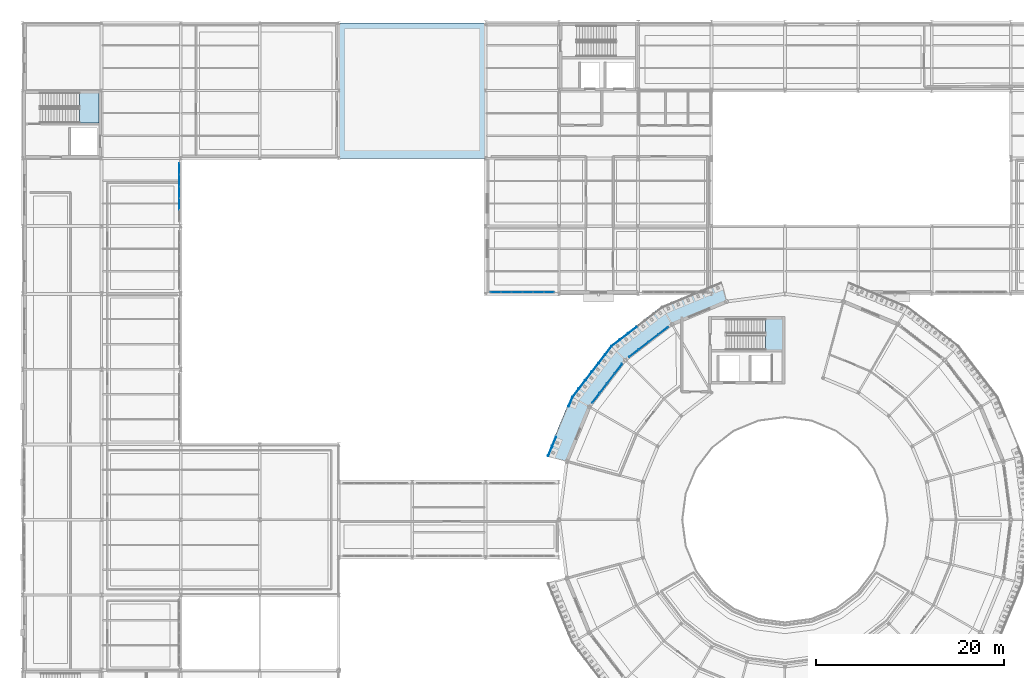
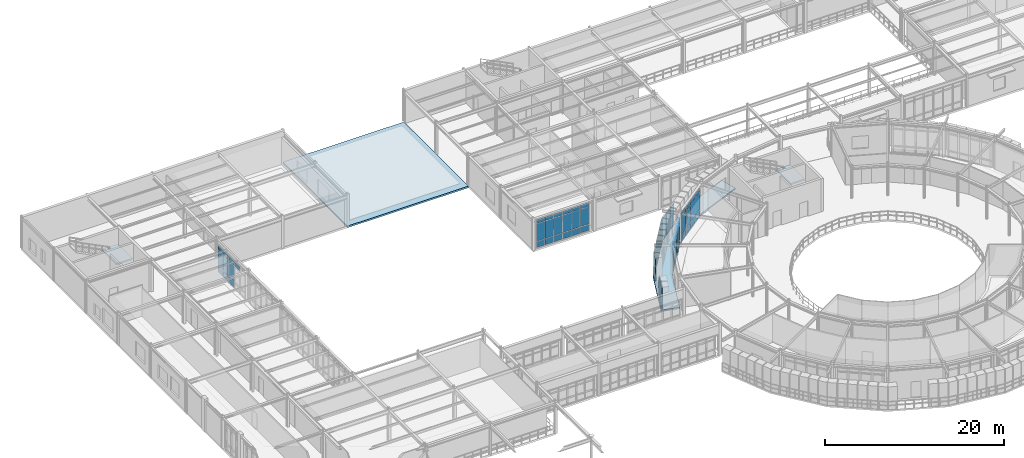
# One storey, part 73 of 106: 64 plates, 4 slabs, 6 elements without a shape of their own.
"""IFC4 building model written with IfcOpenShell, lengths in metres."""

from ifc_helpers import new_model, si_unit, derived_unit, direction, frame, origin, origin_2d, place, context, subcontext, project, spatial, polyline, rectangle, outline, extrude, material, layer, layer_set, type_object, element, aggregate, save


model = new_model("IFC4")

# Units and contexts
model_context = context("Model", 3, precision=1e-05, world=origin(), true_north=direction((0.0, 1.0)))
body_context = subcontext(model_context, "Body", "Model", "MODEL_VIEW")
ifc_project = project(units=[si_unit("LENGTHUNIT", "METRE"), si_unit("AREAUNIT", "SQUARE_METRE"), si_unit("VOLUMEUNIT", "CUBIC_METRE"), si_unit("PLANEANGLEUNIT", "RADIAN"), si_unit("MASSUNIT", "GRAM", prefix="KILO"), derived_unit("THERMALTRANSMITTANCEUNIT", [(si_unit("POWERUNIT", "WATT"), 1), (si_unit("AREAUNIT", "SQUARE_METRE"), -1), (si_unit("THERMODYNAMICTEMPERATUREUNIT", "KELVIN"), -1)])], contexts=[model_context])

# Site, building, storey
site_placement = place(None, origin())
site = spatial("IfcSite", under=ifc_project, at=site_placement, CompositionType="ELEMENT")
building_placement = place(site_placement, origin())
building = spatial("IfcBuilding", under=site, at=building_placement, Name="Yasenodar Specialist Clinic", CompositionType="ELEMENT")
storey_placement = place(building_placement, frame((0.0, 0.0, 4.5)))
storey = spatial("IfcBuildingStorey", under=building, at=storey_placement, Name="L01", CompositionType="ELEMENT", Elevation=4.5)

# Curtain wall, plates
ifc_material_1 = material(Name="Bronze Anodized Aluminium and Triple Low-E Glass", Category="aluminium")
ifc_layer_1 = layer(ifc_material_1, 0.1669921875)
ifc_layer_set_1 = layer_set([ifc_layer_1], Name="Bronze Anodized Aluminium and Triple Low-E Glass")
curtain_wall_type_1 = type_object("IfcCurtainWallType", Name="CW-SYS-01", PredefinedType="USERDEFINED", material=ifc_layer_set_1)
curtain_wall_1_placement = place(storey_placement, origin())
curtain_wall_1 = element("IfcCurtainWall", 1, at=curtain_wall_1_placement, inside=storey, type_object=curtain_wall_type_1, Name="L01 Unitised Curtain Wall 017", ObjectType="UNITISED CURTAIN WALL", PredefinedType="USERDEFINED")
ifc_material_2 = material(Name="Triple Low-E Argon Glazing", Category="glass")
ifc_layer_2 = layer(ifc_material_2, 0.033935546875)
ifc_layer_set_2 = layer_set([ifc_layer_2], Name="Triple Low-E Argon Glazing")
plate_type_1 = type_object("IfcPlateType", Name="CW-PAN-2", PredefinedType="CURTAIN_PANEL", material=ifc_layer_set_2)
plate_1_placement = place(storey_placement, frame((64.9482421875, 76.4755859375, 0.06005859375), z_axis=(0.0, 0.0, 1.0), x_axis=(0.793360558574, 0.608752021844, 0.0)))
plate_1 = element("IfcPlate", 2, at=plate_1_placement, type_object=plate_type_1, Name="CW-01 panel 1.1", PredefinedType="CURTAIN_PANEL", context=body_context, shape_type="SweptSolid", body=[
    extrude(rectangle(XDim=1.236328125, YDim=0.033935546875, at=origin_2d()), origin(), (0.0, 0.0, 1.0), 0.81005859375),
])
plate_2_placement = place(storey_placement, frame((64.9482421875, 76.4755859375, 0.93017578125), z_axis=(0.0, 0.0, 1.0), x_axis=(0.793360558574, 0.608752021844, 0.0)))
plate_2 = element("IfcPlate", 3, at=plate_2_placement, type_object=plate_type_1, Name="CW-01 panel 1.2", PredefinedType="CURTAIN_PANEL", context=body_context, shape_type="SweptSolid", body=[
    extrude(rectangle(XDim=1.236328125, YDim=0.033935546875, at=origin_2d()), origin(), (0.0, 0.0, 1.0), 2.278076171875),
])
plate_3_placement = place(storey_placement, frame((64.9482421875, 76.4755859375, 3.26806640625), z_axis=(0.0, 0.0, 1.0), x_axis=(0.793360558574, 0.608752021844, 0.0)))
plate_3 = element("IfcPlate", 4, at=plate_3_placement, type_object=plate_type_1, Name="CW-01 panel 1.3", PredefinedType="CURTAIN_PANEL", context=body_context, shape_type="SweptSolid", body=[
    extrude(rectangle(XDim=1.236328125, YDim=0.033935546875, at=origin_2d()), origin(), (0.0, 0.0, 1.0), 0.510009765625),
])
plate_4_placement = place(storey_placement, frame((65.988525390625, 77.27392578125, 0.06005859375), z_axis=(0.0, 0.0, 1.0), x_axis=(0.793360558574, 0.608752021844, 0.0)))
plate_4 = element("IfcPlate", 5, at=plate_4_placement, type_object=plate_type_1, Name="CW-01 panel 2.1", PredefinedType="CURTAIN_PANEL", context=body_context, shape_type="SweptSolid", body=[
    extrude(rectangle(XDim=1.266357421875, YDim=0.033935546875, at=origin_2d()), origin(), (0.0, 0.0, 1.0), 0.81005859375),
])
plate_5_placement = place(storey_placement, frame((65.988525390625, 77.27392578125, 0.93017578125), z_axis=(0.0, 0.0, 1.0), x_axis=(0.793360558574, 0.608752021844, 0.0)))
plate_5 = element("IfcPlate", 6, at=plate_5_placement, type_object=plate_type_1, Name="CW-01 panel 2.2", PredefinedType="CURTAIN_PANEL", context=body_context, shape_type="SweptSolid", body=[
    extrude(rectangle(XDim=1.266357421875, YDim=0.033935546875, at=origin_2d()), origin(), (0.0, 0.0, 1.0), 2.278076171875),
])
plate_6_placement = place(storey_placement, frame((65.988525390625, 77.27392578125, 3.26806640625), z_axis=(0.0, 0.0, 1.0), x_axis=(0.793360558574, 0.608752021844, 0.0)))
plate_6 = element("IfcPlate", 7, at=plate_6_placement, type_object=plate_type_1, Name="CW-01 panel 2.3", PredefinedType="CURTAIN_PANEL", context=body_context, shape_type="SweptSolid", body=[
    extrude(rectangle(XDim=1.266357421875, YDim=0.033935546875, at=origin_2d()), origin(), (0.0, 0.0, 1.0), 0.510009765625),
])
plate_7_placement = place(storey_placement, frame((67.040771484375, 78.081298828125, 0.06005859375), z_axis=(0.0, 0.0, 1.0), x_axis=(0.793360558574, 0.608752021844, 0.0)))
plate_7 = element("IfcPlate", 8, at=plate_7_placement, type_object=plate_type_1, Name="CW-01 panel 3.1", PredefinedType="CURTAIN_PANEL", context=body_context, shape_type="SweptSolid", body=[
    extrude(rectangle(XDim=1.266357421875, YDim=0.033935546875, at=origin_2d()), origin(), (0.0, 0.0, 1.0), 0.81005859375),
])
plate_8_placement = place(storey_placement, frame((67.040771484375, 78.081298828125, 0.93017578125), z_axis=(0.0, 0.0, 1.0), x_axis=(0.793360558574, 0.608752021844, 0.0)))
plate_8 = element("IfcPlate", 9, at=plate_8_placement, type_object=plate_type_1, Name="CW-01 panel 3.2", PredefinedType="CURTAIN_PANEL", context=body_context, shape_type="SweptSolid", body=[
    extrude(rectangle(XDim=1.266357421875, YDim=0.033935546875, at=origin_2d()), origin(), (0.0, 0.0, 1.0), 2.278076171875),
])
plate_9_placement = place(storey_placement, frame((67.040771484375, 78.081298828125, 3.26806640625), z_axis=(0.0, 0.0, 1.0), x_axis=(0.793360558574, 0.608752021844, 0.0)))
plate_9 = element("IfcPlate", 10, at=plate_9_placement, type_object=plate_type_1, Name="CW-01 panel 3.3", PredefinedType="CURTAIN_PANEL", context=body_context, shape_type="SweptSolid", body=[
    extrude(rectangle(XDim=1.266357421875, YDim=0.033935546875, at=origin_2d()), origin(), (0.0, 0.0, 1.0), 0.510009765625),
])
plate_10_placement = place(storey_placement, frame((68.0810546875, 78.879638671875, 0.06005859375), z_axis=(0.0, 0.0, 1.0), x_axis=(0.793360558574, 0.608752021844, 0.0)))
plate_10 = element("IfcPlate", 11, at=plate_10_placement, type_object=plate_type_1, Name="CW-01 panel 4.1", PredefinedType="CURTAIN_PANEL", context=body_context, shape_type="SweptSolid", body=[
    extrude(rectangle(XDim=1.236328125, YDim=0.033935546875, at=origin_2d()), origin(), (0.0, 0.0, 1.0), 0.81005859375),
])
plate_11_placement = place(storey_placement, frame((68.0810546875, 78.879638671875, 0.93017578125), z_axis=(0.0, 0.0, 1.0), x_axis=(0.793360558574, 0.608752021844, 0.0)))
plate_11 = element("IfcPlate", 12, at=plate_11_placement, type_object=plate_type_1, Name="CW-01 panel 4.2", PredefinedType="CURTAIN_PANEL", context=body_context, shape_type="SweptSolid", body=[
    extrude(rectangle(XDim=1.236328125, YDim=0.033935546875, at=origin_2d()), origin(), (0.0, 0.0, 1.0), 2.278076171875),
])
plate_12_placement = place(storey_placement, frame((68.0810546875, 78.879638671875, 3.26806640625), z_axis=(0.0, 0.0, 1.0), x_axis=(0.793360558574, 0.608752021844, 0.0)))
plate_12 = element("IfcPlate", 13, at=plate_12_placement, type_object=plate_type_1, Name="CW-01 panel 4.3", PredefinedType="CURTAIN_PANEL", context=body_context, shape_type="SweptSolid", body=[
    extrude(rectangle(XDim=1.236328125, YDim=0.033935546875, at=origin_2d()), origin(), (0.0, 0.0, 1.0), 0.510009765625),
])
aggregate(curtain_wall_1, [plate_1, plate_2, plate_3, plate_4, plate_5, plate_6, plate_7, plate_8, plate_9, plate_10, plate_11, plate_12])

ifc_layer_3 = layer(ifc_material_1, 0.202880859375)
ifc_layer_set_3 = layer_set([ifc_layer_3], Name="Bronze Anodized Aluminium and Triple Low-E Glass")
curtain_wall_type_2 = type_object("IfcCurtainWallType", Name="CW-SYS-04", PredefinedType="USERDEFINED", material=ifc_layer_set_3)
curtain_wall_2_placement = place(storey_placement, origin())
curtain_wall_2 = element("IfcCurtainWall", 14, at=curtain_wall_2_placement, inside=storey, type_object=curtain_wall_type_2, Name="L01 Unitised Curtain Wall 121", ObjectType="UNITISED CURTAIN WALL", PredefinedType="USERDEFINED")
plate_13_placement = place(storey_placement, frame((16.64990234375, 96.0810546875, 0.06005859375), z_axis=(0.0, 0.0, 1.0), x_axis=(0.0, -1.0, 0.0)))
plate_13 = element("IfcPlate", 15, at=plate_13_placement, type_object=plate_type_1, Name="CW-04 panel 1.1", PredefinedType="CURTAIN_PANEL", context=body_context, shape_type="SweptSolid", body=[
    extrude(rectangle(XDim=1.157958984375, YDim=0.033935546875, at=origin_2d()), origin(), (0.0, 0.0, 1.0), 0.81005859375),
])
plate_14_placement = place(storey_placement, frame((16.64990234375, 96.0810546875, 0.93017578125), z_axis=(0.0, 0.0, 1.0), x_axis=(0.0, -1.0, 0.0)))
plate_14 = element("IfcPlate", 16, at=plate_14_placement, type_object=plate_type_1, Name="CW-04 panel 1.2", PredefinedType="CURTAIN_PANEL", context=body_context, shape_type="SweptSolid", body=[
    extrude(rectangle(XDim=1.157958984375, YDim=0.033935546875, at=origin_2d()), origin(), (0.0, 0.0, 1.0), 2.117919921875),
])
plate_15_placement = place(storey_placement, frame((16.64990234375, 96.0810546875, 3.10791015625), z_axis=(0.0, 0.0, 1.0), x_axis=(0.0, -1.0, 0.0)))
plate_15 = element("IfcPlate", 17, at=plate_15_placement, type_object=plate_type_1, Name="CW-04 panel 1.3", PredefinedType="CURTAIN_PANEL", context=body_context, shape_type="SweptSolid", body=[
    extrude(rectangle(XDim=1.157958984375, YDim=0.033935546875, at=origin_2d()), origin(), (0.0, 0.0, 1.0), 0.510009765625),
])
plate_16_placement = place(storey_placement, frame((16.64990234375, 94.847900390625, 0.06005859375), z_axis=(0.0, 0.0, 1.0), x_axis=(0.0, -1.0, 0.0)))
plate_16 = element("IfcPlate", 18, at=plate_16_placement, type_object=plate_type_1, Name="CW-04 panel 2.1", PredefinedType="CURTAIN_PANEL", context=body_context, shape_type="SweptSolid", body=[
    extrude(rectangle(XDim=1.18798828125, YDim=0.033935546875, at=origin_2d()), origin(), (0.0, 0.0, 1.0), 0.81005859375),
])
plate_17_placement = place(storey_placement, frame((16.64990234375, 94.847900390625, 0.93017578125), z_axis=(0.0, 0.0, 1.0), x_axis=(0.0, -1.0, 0.0)))
plate_17 = element("IfcPlate", 19, at=plate_17_placement, type_object=plate_type_1, Name="CW-04 panel 2.2", PredefinedType="CURTAIN_PANEL", context=body_context, shape_type="SweptSolid", body=[
    extrude(rectangle(XDim=1.18798828125, YDim=0.033935546875, at=origin_2d()), origin(), (0.0, 0.0, 1.0), 2.117919921875),
])
plate_18_placement = place(storey_placement, frame((16.64990234375, 94.847900390625, 3.10791015625), z_axis=(0.0, 0.0, 1.0), x_axis=(0.0, -1.0, 0.0)))
plate_18 = element("IfcPlate", 20, at=plate_18_placement, type_object=plate_type_1, Name="CW-04 panel 2.3", PredefinedType="CURTAIN_PANEL", context=body_context, shape_type="SweptSolid", body=[
    extrude(rectangle(XDim=1.18798828125, YDim=0.033935546875, at=origin_2d()), origin(), (0.0, 0.0, 1.0), 0.510009765625),
])
plate_19_placement = place(storey_placement, frame((16.64990234375, 93.60009765625, 0.06005859375), z_axis=(0.0, 0.0, 1.0), x_axis=(0.0, -1.0, 0.0)))
plate_19 = element("IfcPlate", 21, at=plate_19_placement, type_object=plate_type_1, Name="CW-04 panel 3.1", PredefinedType="CURTAIN_PANEL", context=body_context, shape_type="SweptSolid", body=[
    extrude(rectangle(XDim=1.18798828125, YDim=0.033935546875, at=origin_2d()), origin(), (0.0, 0.0, 1.0), 0.81005859375),
])
plate_20_placement = place(storey_placement, frame((16.64990234375, 93.60009765625, 0.93017578125), z_axis=(0.0, 0.0, 1.0), x_axis=(0.0, -1.0, 0.0)))
plate_20 = element("IfcPlate", 22, at=plate_20_placement, type_object=plate_type_1, Name="CW-04 panel 3.2", PredefinedType="CURTAIN_PANEL", context=body_context, shape_type="SweptSolid", body=[
    extrude(rectangle(XDim=1.18798828125, YDim=0.033935546875, at=origin_2d()), origin(), (0.0, 0.0, 1.0), 2.117919921875),
])
plate_21_placement = place(storey_placement, frame((16.64990234375, 93.60009765625, 3.10791015625), z_axis=(0.0, 0.0, 1.0), x_axis=(0.0, -1.0, 0.0)))
plate_21 = element("IfcPlate", 23, at=plate_21_placement, type_object=plate_type_1, Name="CW-04 panel 3.3", PredefinedType="CURTAIN_PANEL", context=body_context, shape_type="SweptSolid", body=[
    extrude(rectangle(XDim=1.18798828125, YDim=0.033935546875, at=origin_2d()), origin(), (0.0, 0.0, 1.0), 0.510009765625),
])
plate_22_placement = place(storey_placement, frame((16.64990234375, 92.35205078125, 3.10791015625), z_axis=(0.0, 0.0, 1.0), x_axis=(0.0, -1.0, 0.0)))
plate_22 = element("IfcPlate", 24, at=plate_22_placement, type_object=plate_type_1, Name="CW-04 panel 4.3", PredefinedType="CURTAIN_PANEL", context=body_context, shape_type="SweptSolid", body=[
    extrude(rectangle(XDim=1.18798828125, YDim=0.033935546875, at=origin_2d()), origin(), (0.0, 0.0, 1.0), 0.510009765625),
])
aggregate(curtain_wall_2, [plate_13, plate_14, plate_15, plate_16, plate_17, plate_18, plate_19, plate_20, plate_21, plate_22])

ifc_layer_4 = layer(ifc_material_1, 0.215087890625)
ifc_layer_set_4 = layer_set([ifc_layer_4], Name="Bronze Anodized Aluminium and Triple Low-E Glass")
curtain_wall_type_3 = type_object("IfcCurtainWallType", Name="CW-SYS-05", PredefinedType="USERDEFINED", material=ifc_layer_set_4)
curtain_wall_3_placement = place(storey_placement, origin())
curtain_wall_3 = element("IfcCurtainWall", 25, at=curtain_wall_3_placement, inside=storey, type_object=curtain_wall_type_3, Name="L01 Unitised Curtain Wall 153", ObjectType="UNITISED CURTAIN WALL", PredefinedType="USERDEFINED")
plate_23_placement = place(storey_placement, frame((55.93505859375, 82.969970703125, 0.06005859375), z_axis=(0.0, 0.0, 1.0), x_axis=(-1.0, 0.0, 0.0)))
plate_23 = element("IfcPlate", 26, at=plate_23_placement, type_object=plate_type_1, Name="CW-05 panel 1.1", PredefinedType="CURTAIN_PANEL", context=body_context, shape_type="SweptSolid", body=[
    extrude(rectangle(XDim=1.050048828125, YDim=0.033935546875, at=origin_2d()), origin(), (0.0, 0.0, 1.0), 0.81005859375),
])
plate_24_placement = place(storey_placement, frame((55.93505859375, 82.969970703125, 0.93017578125), z_axis=(0.0, 0.0, 1.0), x_axis=(-1.0, 0.0, 0.0)))
plate_24 = element("IfcPlate", 27, at=plate_24_placement, type_object=plate_type_1, Name="CW-05 panel 1.2", PredefinedType="CURTAIN_PANEL", context=body_context, shape_type="SweptSolid", body=[
    extrude(rectangle(XDim=1.050048828125, YDim=0.033935546875, at=origin_2d()), origin(), (0.0, 0.0, 1.0), 2.337890625),
])
plate_25_placement = place(storey_placement, frame((55.93505859375, 82.969970703125, 3.328125), z_axis=(0.0, 0.0, 1.0), x_axis=(-1.0, 0.0, 0.0)))
plate_25 = element("IfcPlate", 28, at=plate_25_placement, type_object=plate_type_1, Name="CW-05 panel 1.3", PredefinedType="CURTAIN_PANEL", context=body_context, shape_type="SweptSolid", body=[
    extrude(rectangle(XDim=1.050048828125, YDim=0.033935546875, at=origin_2d()), origin(), (0.0, 0.0, 1.0), 0.510009765625),
])
plate_26_placement = place(storey_placement, frame((54.81005859375, 82.969970703125, 0.06005859375), z_axis=(0.0, 0.0, 1.0), x_axis=(-1.0, 0.0, 0.0)))
plate_26 = element("IfcPlate", 29, at=plate_26_placement, type_object=plate_type_1, Name="CW-05 panel 2.1", PredefinedType="CURTAIN_PANEL", context=body_context, shape_type="SweptSolid", body=[
    extrude(rectangle(XDim=1.080078125, YDim=0.033935546875, at=origin_2d()), origin(), (0.0, 0.0, 1.0), 0.81005859375),
])
plate_27_placement = place(storey_placement, frame((54.81005859375, 82.969970703125, 0.93017578125), z_axis=(0.0, 0.0, 1.0), x_axis=(-1.0, 0.0, 0.0)))
plate_27 = element("IfcPlate", 30, at=plate_27_placement, type_object=plate_type_1, Name="CW-05 panel 2.2", PredefinedType="CURTAIN_PANEL", context=body_context, shape_type="SweptSolid", body=[
    extrude(rectangle(XDim=1.080078125, YDim=0.033935546875, at=origin_2d()), origin(), (0.0, 0.0, 1.0), 2.337890625),
])
plate_28_placement = place(storey_placement, frame((54.81005859375, 82.969970703125, 3.328125), z_axis=(0.0, 0.0, 1.0), x_axis=(-1.0, 0.0, 0.0)))
plate_28 = element("IfcPlate", 31, at=plate_28_placement, type_object=plate_type_1, Name="CW-05 panel 2.3", PredefinedType="CURTAIN_PANEL", context=body_context, shape_type="SweptSolid", body=[
    extrude(rectangle(XDim=1.080078125, YDim=0.033935546875, at=origin_2d()), origin(), (0.0, 0.0, 1.0), 0.510009765625),
])
plate_29_placement = place(storey_placement, frame((53.669921875, 82.969970703125, 0.06005859375), z_axis=(0.0, 0.0, 1.0), x_axis=(-1.0, 0.0, 0.0)))
plate_29 = element("IfcPlate", 32, at=plate_29_placement, type_object=plate_type_1, Name="CW-05 panel 3.1", PredefinedType="CURTAIN_PANEL", context=body_context, shape_type="SweptSolid", body=[
    extrude(rectangle(XDim=1.080078125, YDim=0.033935546875, at=origin_2d()), origin(), (0.0, 0.0, 1.0), 0.81005859375),
])
plate_30_placement = place(storey_placement, frame((53.669921875, 82.969970703125, 0.93017578125), z_axis=(0.0, 0.0, 1.0), x_axis=(-1.0, 0.0, 0.0)))
plate_30 = element("IfcPlate", 33, at=plate_30_placement, type_object=plate_type_1, Name="CW-05 panel 3.2", PredefinedType="CURTAIN_PANEL", context=body_context, shape_type="SweptSolid", body=[
    extrude(rectangle(XDim=1.080078125, YDim=0.033935546875, at=origin_2d()), origin(), (0.0, 0.0, 1.0), 2.337890625),
])
plate_31_placement = place(storey_placement, frame((53.669921875, 82.969970703125, 3.328125), z_axis=(0.0, 0.0, 1.0), x_axis=(-1.0, 0.0, 0.0)))
plate_31 = element("IfcPlate", 34, at=plate_31_placement, type_object=plate_type_1, Name="CW-05 panel 3.3", PredefinedType="CURTAIN_PANEL", context=body_context, shape_type="SweptSolid", body=[
    extrude(rectangle(XDim=1.080078125, YDim=0.033935546875, at=origin_2d()), origin(), (0.0, 0.0, 1.0), 0.510009765625),
])
plate_32_placement = place(storey_placement, frame((52.530029296875, 82.969970703125, 0.06005859375), z_axis=(0.0, 0.0, 1.0), x_axis=(-1.0, 0.0, 0.0)))
plate_32 = element("IfcPlate", 35, at=plate_32_placement, type_object=plate_type_1, Name="CW-05 panel 4.1", PredefinedType="CURTAIN_PANEL", context=body_context, shape_type="SweptSolid", body=[
    extrude(rectangle(XDim=1.080078125, YDim=0.033935546875, at=origin_2d()), origin(), (0.0, 0.0, 1.0), 0.81005859375),
])
plate_33_placement = place(storey_placement, frame((52.530029296875, 82.969970703125, 0.93017578125), z_axis=(0.0, 0.0, 1.0), x_axis=(-1.0, 0.0, 0.0)))
plate_33 = element("IfcPlate", 36, at=plate_33_placement, type_object=plate_type_1, Name="CW-05 panel 4.2", PredefinedType="CURTAIN_PANEL", context=body_context, shape_type="SweptSolid", body=[
    extrude(rectangle(XDim=1.080078125, YDim=0.033935546875, at=origin_2d()), origin(), (0.0, 0.0, 1.0), 2.337890625),
])
plate_34_placement = place(storey_placement, frame((52.530029296875, 82.969970703125, 3.328125), z_axis=(0.0, 0.0, 1.0), x_axis=(-1.0, 0.0, 0.0)))
plate_34 = element("IfcPlate", 37, at=plate_34_placement, type_object=plate_type_1, Name="CW-05 panel 4.3", PredefinedType="CURTAIN_PANEL", context=body_context, shape_type="SweptSolid", body=[
    extrude(rectangle(XDim=1.080078125, YDim=0.033935546875, at=origin_2d()), origin(), (0.0, 0.0, 1.0), 0.510009765625),
])
plate_35_placement = place(storey_placement, frame((51.389892578125, 82.969970703125, 0.06005859375), z_axis=(0.0, 0.0, 1.0), x_axis=(-1.0, 0.0, 0.0)))
plate_35 = element("IfcPlate", 38, at=plate_35_placement, type_object=plate_type_1, Name="CW-05 panel 5.1", PredefinedType="CURTAIN_PANEL", context=body_context, shape_type="SweptSolid", body=[
    extrude(rectangle(XDim=1.080078125, YDim=0.033935546875, at=origin_2d()), origin(), (0.0, 0.0, 1.0), 0.81005859375),
])
plate_36_placement = place(storey_placement, frame((51.389892578125, 82.969970703125, 0.93017578125), z_axis=(0.0, 0.0, 1.0), x_axis=(-1.0, 0.0, 0.0)))
plate_36 = element("IfcPlate", 39, at=plate_36_placement, type_object=plate_type_1, Name="CW-05 panel 5.2", PredefinedType="CURTAIN_PANEL", context=body_context, shape_type="SweptSolid", body=[
    extrude(rectangle(XDim=1.080078125, YDim=0.033935546875, at=origin_2d()), origin(), (0.0, 0.0, 1.0), 2.337890625),
])
plate_37_placement = place(storey_placement, frame((51.389892578125, 82.969970703125, 3.328125), z_axis=(0.0, 0.0, 1.0), x_axis=(-1.0, 0.0, 0.0)))
plate_37 = element("IfcPlate", 40, at=plate_37_placement, type_object=plate_type_1, Name="CW-05 panel 5.3", PredefinedType="CURTAIN_PANEL", context=body_context, shape_type="SweptSolid", body=[
    extrude(rectangle(XDim=1.080078125, YDim=0.033935546875, at=origin_2d()), origin(), (0.0, 0.0, 1.0), 0.510009765625),
])
plate_38_placement = place(storey_placement, frame((50.264892578125, 82.969970703125, 0.06005859375), z_axis=(0.0, 0.0, 1.0), x_axis=(-1.0, 0.0, 0.0)))
plate_38 = element("IfcPlate", 41, at=plate_38_placement, type_object=plate_type_1, Name="CW-05 panel 6.1", PredefinedType="CURTAIN_PANEL", context=body_context, shape_type="SweptSolid", body=[
    extrude(rectangle(XDim=1.050048828125, YDim=0.033935546875, at=origin_2d()), origin(), (0.0, 0.0, 1.0), 0.81005859375),
])
plate_39_placement = place(storey_placement, frame((50.264892578125, 82.969970703125, 0.93017578125), z_axis=(0.0, 0.0, 1.0), x_axis=(-1.0, 0.0, 0.0)))
plate_39 = element("IfcPlate", 42, at=plate_39_placement, type_object=plate_type_1, Name="CW-05 panel 6.2", PredefinedType="CURTAIN_PANEL", context=body_context, shape_type="SweptSolid", body=[
    extrude(rectangle(XDim=1.050048828125, YDim=0.033935546875, at=origin_2d()), origin(), (0.0, 0.0, 1.0), 2.337890625),
])
plate_40_placement = place(storey_placement, frame((50.264892578125, 82.969970703125, 3.328125), z_axis=(0.0, 0.0, 1.0), x_axis=(-1.0, 0.0, 0.0)))
plate_40 = element("IfcPlate", 43, at=plate_40_placement, type_object=plate_type_1, Name="CW-05 panel 6.3", PredefinedType="CURTAIN_PANEL", context=body_context, shape_type="SweptSolid", body=[
    extrude(rectangle(XDim=1.050048828125, YDim=0.033935546875, at=origin_2d()), origin(), (0.0, 0.0, 1.0), 0.510009765625),
])
aggregate(curtain_wall_3, [plate_23, plate_24, plate_25, plate_26, plate_27, plate_28, plate_29, plate_30, plate_31, plate_32, plate_33, plate_34, plate_35, plate_36, plate_37, plate_38, plate_39, plate_40])

curtain_wall_4_placement = place(storey_placement, origin())
curtain_wall_4 = element("IfcCurtainWall", 44, at=curtain_wall_4_placement, inside=storey, type_object=curtain_wall_type_1, Name="L01 Unitised Curtain Wall 018", ObjectType="UNITISED CURTAIN WALL", PredefinedType="USERDEFINED")
ifc_layer_5 = layer(ifc_material_2, 0.0400390625)
ifc_layer_set_5 = layer_set([ifc_layer_5], Name="Triple Low-E Argon Glazing")
plate_type_2 = type_object("IfcPlateType", Name="CW-PAN-3", PredefinedType="CURTAIN_PANEL", material=ifc_layer_set_5)
plate_41_placement = place(storey_placement, frame((60.92041015625, 71.71875, 0.06005859375), z_axis=(0.0, 0.0, 1.0), x_axis=(0.608752021844, 0.793360558574, 0.0)))
plate_41 = element("IfcPlate", 45, at=plate_41_placement, type_object=plate_type_2, Name="CW-01 panel 1.1", PredefinedType="CURTAIN_PANEL", context=body_context, shape_type="SweptSolid", body=[
    extrude(rectangle(XDim=1.236328125, YDim=0.0400390625, at=origin_2d()), origin(), (0.0, 0.0, 1.0), 0.81005859375),
])
plate_42_placement = place(storey_placement, frame((60.92041015625, 71.71875, 0.93017578125), z_axis=(0.0, 0.0, 1.0), x_axis=(0.608752021844, 0.793360558574, 0.0)))
plate_42 = element("IfcPlate", 46, at=plate_42_placement, type_object=plate_type_2, Name="CW-01 panel 1.2", PredefinedType="CURTAIN_PANEL", context=body_context, shape_type="SweptSolid", body=[
    extrude(rectangle(XDim=1.236328125, YDim=0.0400390625, at=origin_2d()), origin(), (0.0, 0.0, 1.0), 2.278076171875),
])
plate_43_placement = place(storey_placement, frame((60.92041015625, 71.71875, 3.26806640625), z_axis=(0.0, 0.0, 1.0), x_axis=(0.608752021844, 0.793360558574, 0.0)))
plate_43 = element("IfcPlate", 47, at=plate_43_placement, type_object=plate_type_2, Name="CW-01 panel 1.3", PredefinedType="CURTAIN_PANEL", context=body_context, shape_type="SweptSolid", body=[
    extrude(rectangle(XDim=1.236328125, YDim=0.0400390625, at=origin_2d()), origin(), (0.0, 0.0, 1.0), 0.510009765625),
])
plate_44_placement = place(storey_placement, frame((61.71875, 72.75927734375, 0.06005859375), z_axis=(0.0, 0.0, 1.0), x_axis=(0.608752021844, 0.793360558574, 0.0)))
plate_44 = element("IfcPlate", 48, at=plate_44_placement, type_object=plate_type_2, Name="CW-01 panel 2.1", PredefinedType="CURTAIN_PANEL", context=body_context, shape_type="SweptSolid", body=[
    extrude(rectangle(XDim=1.266357421875, YDim=0.0400390625, at=origin_2d()), origin(), (0.0, 0.0, 1.0), 0.81005859375),
])
plate_45_placement = place(storey_placement, frame((61.71875, 72.75927734375, 0.93017578125), z_axis=(0.0, 0.0, 1.0), x_axis=(0.608752021844, 0.793360558574, 0.0)))
plate_45 = element("IfcPlate", 49, at=plate_45_placement, type_object=plate_type_2, Name="CW-01 panel 2.2", PredefinedType="CURTAIN_PANEL", context=body_context, shape_type="SweptSolid", body=[
    extrude(rectangle(XDim=1.266357421875, YDim=0.0400390625, at=origin_2d()), origin(), (0.0, 0.0, 1.0), 2.278076171875),
])
plate_46_placement = place(storey_placement, frame((61.71875, 72.75927734375, 3.26806640625), z_axis=(0.0, 0.0, 1.0), x_axis=(0.608752021844, 0.793360558574, 0.0)))
plate_46 = element("IfcPlate", 50, at=plate_46_placement, type_object=plate_type_2, Name="CW-01 panel 2.3", PredefinedType="CURTAIN_PANEL", context=body_context, shape_type="SweptSolid", body=[
    extrude(rectangle(XDim=1.266357421875, YDim=0.0400390625, at=origin_2d()), origin(), (0.0, 0.0, 1.0), 0.510009765625),
])
plate_47_placement = place(storey_placement, frame((62.526123046875, 73.8115234375, 0.06005859375), z_axis=(0.0, 0.0, 1.0), x_axis=(0.608752021844, 0.793360558574, 0.0)))
plate_47 = element("IfcPlate", 51, at=plate_47_placement, type_object=plate_type_2, Name="CW-01 panel 3.1", PredefinedType="CURTAIN_PANEL", context=body_context, shape_type="SweptSolid", body=[
    extrude(rectangle(XDim=1.266357421875, YDim=0.0400390625, at=origin_2d()), origin(), (0.0, 0.0, 1.0), 0.81005859375),
])
plate_48_placement = place(storey_placement, frame((62.526123046875, 73.8115234375, 0.93017578125), z_axis=(0.0, 0.0, 1.0), x_axis=(0.608752021844, 0.793360558574, 0.0)))
plate_48 = element("IfcPlate", 52, at=plate_48_placement, type_object=plate_type_2, Name="CW-01 panel 3.2", PredefinedType="CURTAIN_PANEL", context=body_context, shape_type="SweptSolid", body=[
    extrude(rectangle(XDim=1.266357421875, YDim=0.0400390625, at=origin_2d()), origin(), (0.0, 0.0, 1.0), 2.278076171875),
])
plate_49_placement = place(storey_placement, frame((62.526123046875, 73.8115234375, 3.26806640625), z_axis=(0.0, 0.0, 1.0), x_axis=(0.608752021844, 0.793360558574, 0.0)))
plate_49 = element("IfcPlate", 53, at=plate_49_placement, type_object=plate_type_2, Name="CW-01 panel 3.3", PredefinedType="CURTAIN_PANEL", context=body_context, shape_type="SweptSolid", body=[
    extrude(rectangle(XDim=1.266357421875, YDim=0.0400390625, at=origin_2d()), origin(), (0.0, 0.0, 1.0), 0.510009765625),
])
plate_50_placement = place(storey_placement, frame((63.324462890625, 74.851806640625, 0.06005859375), z_axis=(0.0, 0.0, 1.0), x_axis=(0.608752021844, 0.793360558574, 0.0)))
plate_50 = element("IfcPlate", 54, at=plate_50_placement, type_object=plate_type_2, Name="CW-01 panel 4.1", PredefinedType="CURTAIN_PANEL", context=body_context, shape_type="SweptSolid", body=[
    extrude(rectangle(XDim=1.236328125, YDim=0.0400390625, at=origin_2d()), origin(), (0.0, 0.0, 1.0), 0.81005859375),
])
plate_51_placement = place(storey_placement, frame((63.324462890625, 74.851806640625, 0.93017578125), z_axis=(0.0, 0.0, 1.0), x_axis=(0.608752021844, 0.793360558574, 0.0)))
plate_51 = element("IfcPlate", 55, at=plate_51_placement, type_object=plate_type_2, Name="CW-01 panel 4.2", PredefinedType="CURTAIN_PANEL", context=body_context, shape_type="SweptSolid", body=[
    extrude(rectangle(XDim=1.236328125, YDim=0.0400390625, at=origin_2d()), origin(), (0.0, 0.0, 1.0), 2.278076171875),
])
plate_52_placement = place(storey_placement, frame((63.324462890625, 74.851806640625, 3.26806640625), z_axis=(0.0, 0.0, 1.0), x_axis=(0.608752021844, 0.793360558574, 0.0)))
plate_52 = element("IfcPlate", 56, at=plate_52_placement, type_object=plate_type_2, Name="CW-01 panel 4.3", PredefinedType="CURTAIN_PANEL", context=body_context, shape_type="SweptSolid", body=[
    extrude(rectangle(XDim=1.236328125, YDim=0.0400390625, at=origin_2d()), origin(), (0.0, 0.0, 1.0), 0.510009765625),
])
aggregate(curtain_wall_4, [plate_41, plate_42, plate_43, plate_44, plate_45, plate_46, plate_47, plate_48, plate_49, plate_50, plate_51, plate_52])

# Plates
ifc_material_3 = material(Name="Thermally Modified Larch and Bronze Girih Jali Screen")
ifc_layer_6 = layer(ifc_material_3, 0.06494140625)
ifc_layer_set_6 = layer_set([ifc_layer_6], Name="Thermally Modified Larch and Bronze Girih Jali Screen")
plate_type_3 = type_object("IfcPlateType", Name="PL-JALI-850", PredefinedType="USERDEFINED", material=ifc_layer_set_6)
for number, where, z_axis, x_axis, name in (
    (57, (64.81982421875, 78.949951171875, 0.0048828125), (0.0, 0.0, 1.0), (-0.793351200869, -0.608764217148, 0.0), "L01 Sliding Timber-Bronze Jali Shutter Screen 0037"),
    (58, (63.91552734375, 78.256103515625, 0.0048828125), (0.0, 0.0, 1.0), (-0.793351200869, -0.608764217148, 0.0), "L01 Sliding Timber-Bronze Jali Shutter Screen 0038"),
    (59, (63.01123046875, 77.56201171875, 0.0048828125), (0.0, 0.0, 1.0), (-0.793351200869, -0.608764217148, 0.0), "L01 Sliding Timber-Bronze Jali Shutter Screen 0039"),
    (60, (62.23779296875, 76.788818359375, 0.0048828125), (0.0, 0.0, 1.0), (-0.608764217148, -0.793351200869, 0.0), "L01 Sliding Timber-Bronze Jali Shutter Screen 0040"),
    (61, (61.5439453125, 75.884521484375, 0.0048828125), (0.0, 0.0, 1.0), (-0.608764217148, -0.793351200869, 0.0), "L01 Sliding Timber-Bronze Jali Shutter Screen 0041"),
    (62, (60.85009765625, 74.97998046875, 0.0048828125), (0.0, 0.0, 1.0), (-0.608764217148, -0.793351200869, 0.0), "L01 Sliding Timber-Bronze Jali Shutter Screen 0042"),
    (63, (60.156005859375, 74.07568359375, 0.0048828125), (0.0, 0.0, 1.0), (-0.608764217148, -0.793351200869, 0.0), "L01 Sliding Timber-Bronze Jali Shutter Screen 0043"),
    (64, (59.462158203125, 73.17138671875, 0.0048828125), (0.0, 0.0, 1.0), (-0.608764217148, -0.793351200869, 0.0), "L01 Sliding Timber-Bronze Jali Shutter Screen 0044"),
    (65, (58.76806640625, 72.26708984375, 0.0048828125), (0.0, 0.0, 1.0), (-0.608764217148, -0.793351200869, 0.0), "L01 Sliding Timber-Bronze Jali Shutter Screen 0045"),
    (66, (58.22119140625, 71.31982421875, 0.0048828125), (0.0, 0.0, 1.0), (-0.382686667195, -0.923878192594, 0.0), "L01 Sliding Timber-Bronze Jali Shutter Screen 0046"),
    (67, (56.476318359375, 67.107177734375, 0.0048828125), (0.0, 0.0, 1.0), (-0.382686667195, -0.923878192594, 0.0), "L01 Sliding Timber-Bronze Jali Shutter Screen 0047"),
    (68, (56.040283203125, 66.05419921875, 0.0048828125), (0.0, 0.0, 1.0), (-0.382686667195, -0.923878192594, 0.0), "L01 Sliding Timber-Bronze Jali Shutter Screen 0048"),
):
    element("IfcPlate", number, at=place(storey_placement, frame(where, z_axis=z_axis, x_axis=x_axis)), inside=storey, type_object=plate_type_3, Name=name, ObjectType="SCREEN_PANEL", PredefinedType="USERDEFINED", context=body_context, shape_type="SweptSolid", body=[
        extrude(rectangle(XDim=1.0400390625, YDim=0.06494140625, at=origin_2d()), origin(), (0.0, 0.0, 1.0), 2.949951171875),
    ])

# Slab
ifc_material_4 = material(Name="Concrete C30/37", Category="concrete")
ifc_layer_7 = layer(ifc_material_4, 0.195068359375)
ifc_layer_set_7 = layer_set([ifc_layer_7], Name="Concrete C30/37")
slab_type_1 = type_object("IfcSlabType", Name="SLB-BALC-195", PredefinedType="FLOOR", material=ifc_layer_set_7)
slab_1_placement = place(storey_placement, frame((0.0, 0.0, -0.195068359375)))
element("IfcSlab", 69, at=slab_1_placement, inside=storey, type_object=slab_type_1, Name="L01 Drum V1 Balcony Sector 2", PredefinedType="FLOOR", context=body_context, shape_type="SweptSolid", body=[
    extrude(outline(polyline([(55.692626953125, 65.5810546875), (58.31005859375, 71.89990234375), (62.473876953125, 77.326171875), (67.89990234375, 81.489990234375), (74.218994140625, 84.107421875), (74.784423828125, 81.996826171875), (68.992431640625, 79.59765625), (64.018798828125, 75.78125), (60.202392578125, 70.8076171875), (57.80322265625, 65.015625), (55.692626953125, 65.5810546875)])), origin(), (0.0, 0.0, 1.0), 0.195068359375),
])

# Stair, slab
stair_type = type_object("IfcStairType", Name="ST-DOG-C2-30", PredefinedType="HALF_TURN_STAIR", material=ifc_material_4)
stair_1_placement = place(storey_placement, origin())
stair_1 = element("IfcStair", 70, at=stair_1_placement, inside=storey, type_object=stair_type, Name="L01 Core C2 Exit Stair ST-02", PredefinedType="HALF_TURN_STAIR")
ifc_layer_8 = layer(ifc_material_4, 0.199951171875)
ifc_layer_set_8 = layer_set([ifc_layer_8], Name="Concrete C30/37")
slab_type_2 = type_object("IfcSlabType", Name="SLB-LND-200", PredefinedType="LANDING", material=ifc_layer_set_8)
slab_2_placement = place(storey_placement, frame((0.0, 0.0, 2.050048828125)))
slab_2 = element("IfcSlab", 71, at=slab_2_placement, type_object=slab_type_2, Name="ST-02 landing 1", PredefinedType="LANDING", context=body_context, shape_type="SweptSolid", body=[
    extrude(outline(polyline([(6.0400390625, 100.9599609375), (8.1201171875, 100.9599609375), (8.1201171875, 104.199951171875), (6.0400390625, 104.199951171875), (6.0400390625, 100.9599609375)])), origin(), (0.0, 0.0, 1.0), 0.199951171875),
])
aggregate(stair_1, [slab_2])

stair_2_placement = place(storey_placement, origin())
stair_2 = element("IfcStair", 72, at=stair_2_placement, inside=storey, type_object=stair_type, Name="L01 Core C3 Exit Stair ST-03", PredefinedType="HALF_TURN_STAIR")
slab_3_placement = place(storey_placement, frame((0.0, 0.0, 2.050048828125)))
slab_3 = element("IfcSlab", 73, at=slab_3_placement, type_object=slab_type_2, Name="ST-03 landing 1", PredefinedType="LANDING", context=body_context, shape_type="SweptSolid", body=[
    extrude(outline(polyline([(78.93994140625, 76.860107421875), (80.719970703125, 76.860107421875), (80.719970703125, 80.110107421875), (78.93994140625, 80.110107421875), (78.93994140625, 76.860107421875)])), origin(), (0.0, 0.0, 1.0), 0.199951171875),
])
aggregate(stair_2, [slab_3])

# Slab
ifc_layer_9 = layer(ifc_material_4, 0.22509765625)
ifc_layer_set_9 = layer_set([ifc_layer_9], Name="Concrete C30/37")
slab_type_3 = type_object("IfcSlabType", Name="SLB-ROOF-225", PredefinedType="ROOF", material=ifc_layer_set_9)
slab_4_placement = place(storey_placement, frame((0.0, 0.0, -0.22509765625)))
element("IfcSlab", 74, at=slab_4_placement, inside=storey, type_object=slab_type_3, Name="V4 North Link Roof Slab", PredefinedType="ROOF", context=body_context, shape_type="SweptSolid", body=[
    extrude(outline(polyline([(33.614990234375, 97.199951171875), (33.614990234375, 111.60009765625), (49.18505859375, 111.60009765625), (49.18505859375, 97.199951171875), (33.614990234375, 97.199951171875)])), origin(), (0.0, 0.0, 1.0), 0.22509765625),
])

save(model, "model.ifc")
